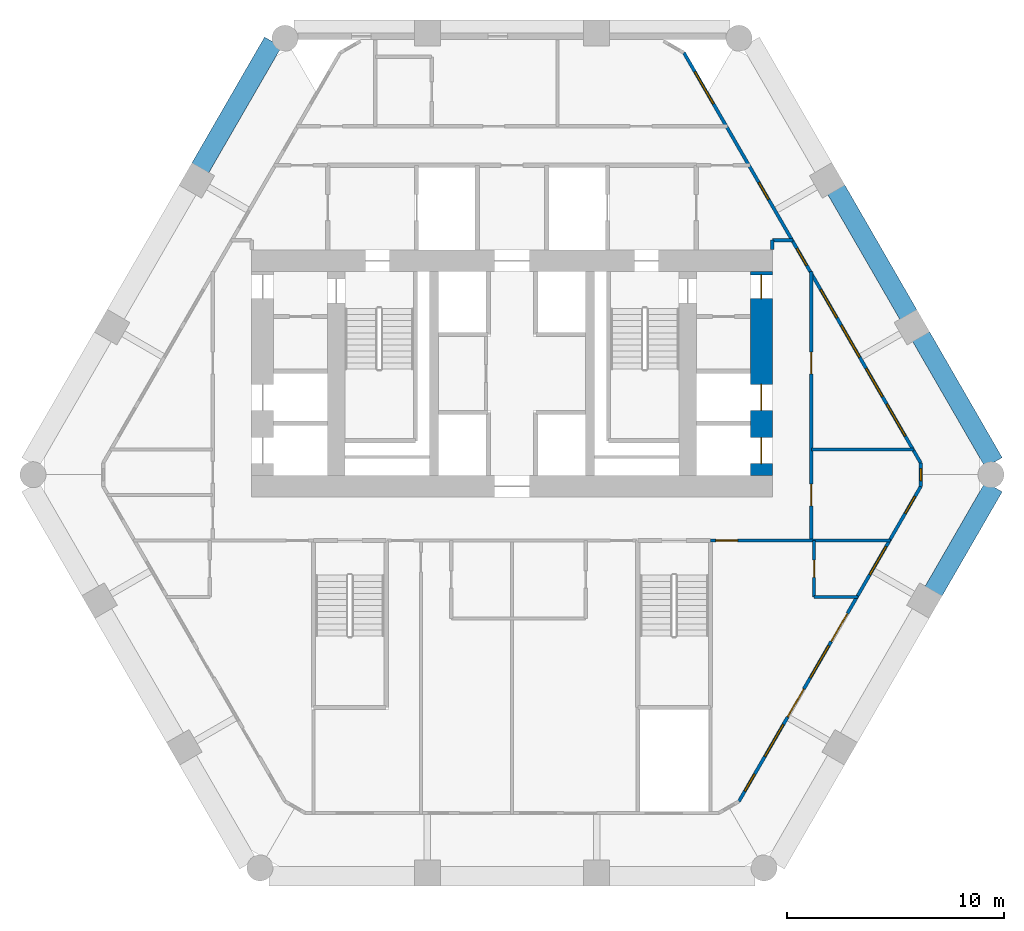
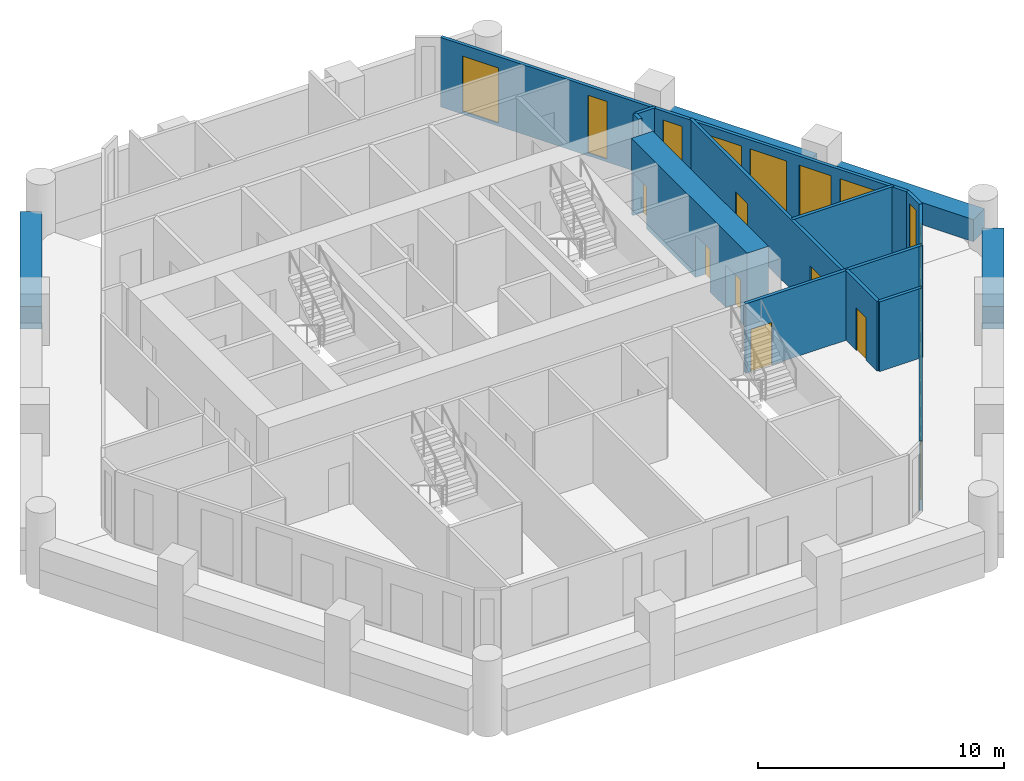
# One storey, part 5 of 7: 15 walls, 13 windows, 9 doors, 22 openings.
"""IFC4 building model written with IfcOpenShell, lengths in metres."""

import ifcopenshell
import ifcopenshell.guid

model = None  # the IFC model being written
_history = None  # IfcOwnerHistory: only IFC2X3 demands one
_inside = {}  # id of a spatial element -> (the spatial element, [elements in it])
_under = {}  # id of a project, library or spatial element -> (it, [spatial elements below it])
_declared = {}  # id of a project -> (the project, [libraries it declares])
_typed = {}  # id of a type object -> (the type object, [elements of that type])
_made_of = {}  # id of a material, layer set ... -> (it, [elements and type objects made of it])


def new_model(schema):
    """Start an empty IFC model of exactly this schema.

    Asked for "IFC4X3", IfcOpenShell would pick the latest addendum, in which some entities
    have other attributes; the version numbers below select the first issue.
    IFC2X3 requires an IfcOwnerHistory on every rooted entity: one is made here for all.
    """
    global model, _history
    if schema == "IFC4X3":
        model = ifcopenshell.file(schema_version=(4, 3, 0, 0))
    else:
        model = ifcopenshell.file(schema=schema)
    _inside.clear()
    _under.clear()
    _declared.clear()
    _typed.clear()
    _made_of.clear()
    _history = None
    if model.schema == "IFC2X3":
        org = make("IfcOrganization", Name="unknown")
        user = make(
            "IfcPersonAndOrganization",
            ThePerson=make("IfcPerson", FamilyName="unknown"),
            TheOrganization=org,
        )
        app = make(
            "IfcApplication",
            ApplicationDeveloper=org,
            Version="unknown",
            ApplicationFullName="unknown",
            ApplicationIdentifier="unknown",
        )
        _history = make(
            "IfcOwnerHistory",
            OwningUser=user,
            OwningApplication=app,
            ChangeAction="ADDED",
            CreationDate=0,
        )
    return model


def make(cls, **values):
    """One entity of the class cls with the attributes given. An attribute that is None is left unset."""
    return model.create_entity(
        cls, **{name: value for name, value in values.items() if value is not None}
    )


def rooted(cls, **values):
    """An entity with a GlobalId (a new one), such as an element, a storey or a relation."""
    return make(cls, GlobalId=ifcopenshell.guid.new(), OwnerHistory=_history, **values)


def si_unit(unit_type, name, prefix=None):
    """IfcSIUnit, for example si_unit("LENGTHUNIT", "METRE", prefix="MILLI")."""
    return make("IfcSIUnit", UnitType=unit_type, Prefix=prefix, Name=name)


def assignment(units):
    """IfcUnitAssignment: the units of a project."""
    return None if units is None else make("IfcUnitAssignment", Units=units)


def point(xyz):
    """IfcCartesianPoint."""
    return None if xyz is None else make("IfcCartesianPoint", Coordinates=xyz)


def direction(xyz):
    """IfcDirection."""
    return None if xyz is None else make("IfcDirection", DirectionRatios=xyz)


def frame(location, z_axis=None, x_axis=None):
    """IfcAxis2Placement3D, a coordinate frame: its origin and axes. An axis left out is left unset."""
    return make(
        "IfcAxis2Placement3D",
        Location=point(location),
        Axis=direction(z_axis),
        RefDirection=direction(x_axis),
    )


def frame_2d(location, x_axis=None):
    """IfcAxis2Placement2D, a coordinate frame in the plane: its origin and x axis."""
    return make(
        "IfcAxis2Placement2D", Location=point(location), RefDirection=direction(x_axis)
    )


def origin():
    """The frame at (0, 0, 0) with its axes left unset."""
    return frame((0.0, 0.0, 0.0))


def place(relative_to, where):
    """IfcLocalPlacement: puts the frame where relative to a parent placement (None: the world)."""
    return make(
        "IfcLocalPlacement", PlacementRelTo=relative_to, RelativePlacement=where
    )


def context(
    kind, dimensions, precision=None, world=None, true_north=None, identifier=None
):
    """IfcGeometricRepresentationContext, for example the 3D "Model" context."""
    return make(
        "IfcGeometricRepresentationContext",
        ContextIdentifier=identifier,
        ContextType=kind,
        CoordinateSpaceDimension=dimensions,
        Precision=precision,
        WorldCoordinateSystem=world,
        TrueNorth=true_north,
    )


def subcontext(parent, identifier, kind, view, scale=None):
    """IfcGeometricRepresentationSubContext, for example "Body" below "Model"."""
    return make(
        "IfcGeometricRepresentationSubContext",
        ContextIdentifier=identifier,
        ContextType=kind,
        ParentContext=parent,
        TargetScale=scale,
        TargetView=view,
    )


def project(units=None, contexts=None):
    """IfcProject with its units and contexts."""
    return rooted(
        "IfcProject",
        Name="project",
        RepresentationContexts=contexts,
        UnitsInContext=assignment(units),
    )


def spatial(cls, under=None, at=None, **own):
    """A site, building, storey or space (cls), placed at a placement, below another one or the project."""
    s = rooted(cls, ObjectPlacement=at, **own)
    if under is not None:
        _under.setdefault(under.id(), (under, []))[1].append(s)
    return s


def profile(cls, at=None, kind="AREA", **sizes):
    """A parametric profile (cls). Its sizes go by their IFC names, for example OverallWidth=200.0."""
    return make(cls, ProfileType=kind, Position=at, **sizes)


def rectangle(**sizes):
    """IfcRectangleProfileDef."""
    return profile("IfcRectangleProfileDef", **sizes)


def extrude(swept, where, along, depth):
    """IfcExtrudedAreaSolid: the profile swept, set in the frame where, extruded along a direction by depth."""
    return make(
        "IfcExtrudedAreaSolid",
        SweptArea=swept,
        Position=where,
        ExtrudedDirection=direction(along),
        Depth=depth,
    )


def shape(context_of_items, identifier, shape_type, items):
    """IfcShapeRepresentation: the items that make up one representation, for example the "Body"."""
    return make(
        "IfcShapeRepresentation",
        ContextOfItems=context_of_items,
        RepresentationIdentifier=identifier,
        RepresentationType=shape_type,
        Items=items,
    )


def material(Name=None, Category=None):
    """IfcMaterial."""
    return make("IfcMaterial", Name=Name, Category=Category)


def layer(
    of_material, thickness, ventilated=None, Name=None, Category=None, Priority=None
):
    """IfcMaterialLayer: one layer of a wall or slab, of a material (None: an air gap)."""
    return make(
        "IfcMaterialLayer",
        Material=of_material,
        LayerThickness=thickness,
        IsVentilated=ventilated,
        Name=Name,
        Category=Category,
        Priority=Priority,
    )


def layer_set(layers, Name=None):
    """IfcMaterialLayerSet."""
    return make("IfcMaterialLayerSet", MaterialLayers=layers, LayerSetName=Name)


def made_of(thing, what):
    """Note that an element or type object is made of a material, layer set ...; save() writes the relation."""
    if what is not None:
        _made_of.setdefault(what.id(), (what, []))[1].append(thing)
    return thing


def type_object(cls, material=None, **own):
    """A type object (cls), such as IfcWallType, which elements share."""
    return made_of(rooted(cls, **own), material)


def element(
    cls,
    number,
    at=None,
    inside=None,
    cuts=None,
    type_object=None,
    material=None,
    context=None,
    identifier="Body",
    shape_type=None,
    held_by="IfcProductDefinitionShape",
    body=None,
    shapes=None,
    **own,
):
    """One element of the class cls, such as IfcWall. Its Tag is "e" and its number.

    at: its placement. inside: the storey or other place that contains it. cuts: it is an
    opening in that element (IfcRelVoidsElement). A single representation is given by context,
    identifier, shape_type and body (its items); several are given by shapes. held_by: the class
    of the entity that holds the representations. save() writes the other relations.
    """
    e = rooted(cls, Tag="e%d" % number, ObjectPlacement=at, **own)
    if body is not None:
        shapes = [shape(context, identifier, shape_type, body)]
    if shapes is not None:
        e.Representation = make(held_by, Representations=shapes)
    if inside is not None:
        _inside.setdefault(inside.id(), (inside, []))[1].append(e)
    if cuts is not None:
        rooted(
            "IfcRelVoidsElement", RelatingBuildingElement=cuts, RelatedOpeningElement=e
        )
    if type_object is not None:
        _typed.setdefault(type_object.id(), (type_object, []))[1].append(e)
    return made_of(e, material)


def fill(opening, filler):
    """IfcRelFillsElement: the door or window that sits in an opening."""
    return rooted(
        "IfcRelFillsElement",
        RelatingOpeningElement=opening,
        RelatedBuildingElement=filler,
    )


def aggregate(whole, parts):
    """IfcRelAggregates: a whole, such as a stair, and the parts it consists of."""
    return rooted("IfcRelAggregates", RelatingObject=whole, RelatedObjects=parts)


def save(model, path):
    """Write the relations noted so far, then the file.

    IfcRelAggregates (storeys below a building ...), IfcRelContainedInSpatialStructure (elements
    in a storey), IfcRelDefinesByType, IfcRelAssociatesMaterial and IfcRelDeclares: one each for
    every whole, place, type object, material and project.
    """
    for whole, parts in _under.values():
        aggregate(whole, parts)
    for where, things in _inside.values():
        rooted(
            "IfcRelContainedInSpatialStructure",
            RelatedElements=things,
            RelatingStructure=where,
        )
    for kind, things in _typed.values():
        rooted("IfcRelDefinesByType", RelatedObjects=things, RelatingType=kind)
    for what, things in _made_of.values():
        rooted("IfcRelAssociatesMaterial", RelatedObjects=things, RelatingMaterial=what)
    for by, libraries in _declared.values():
        rooted("IfcRelDeclares", RelatingContext=by, RelatedDefinitions=libraries)
    model.write(path)


model = new_model("IFC4")

# Units and contexts
model_context = context("Model", 3, precision=1e-05, world=origin(), true_north=direction((0.0, 1.0)))
body_context = subcontext(model_context, "Body", "Model", "MODEL_VIEW")
ifc_project = project(units=[si_unit("LENGTHUNIT", "METRE"), si_unit("AREAUNIT", "SQUARE_METRE"), si_unit("VOLUMEUNIT", "CUBIC_METRE"), si_unit("PLANEANGLEUNIT", "RADIAN"), si_unit("MASSUNIT", "GRAM", prefix="KILO")], contexts=[model_context])

# Site, building, storey
site_placement = place(None, origin())
site = spatial("IfcSite", under=ifc_project, at=site_placement, CompositionType="ELEMENT")
building_placement = place(site_placement, origin())
building = spatial("IfcBuilding", under=site, at=building_placement, Name="Ostrander Bayou Hotel Tower", CompositionType="ELEMENT")
storey_placement = place(building_placement, frame((0.0, 0.0, 123.5)))
storey = spatial("IfcBuildingStorey", under=building, at=storey_placement, Name="L30", CompositionType="ELEMENT", Elevation=123.5)

# Wall, openings, doors
ifc_material_1 = material(Name="Concrete f'c 70 MPa", Category="concrete")
ifc_layer_1 = layer(ifc_material_1, 1.0)
ifc_layer_set_1 = layer_set([ifc_layer_1], Name="CW4 core wall 1000 mm f'c 70 MPa")
wall_type_1 = type_object("IfcWallType", Name="CW4 core wall 1000 mm f'c 70 MPa", PredefinedType="SHEAR", material=ifc_layer_set_1)
wall_1_placement = place(storey_placement, frame((11.5, -0.699951171875, -0.300048828125), z_axis=(0.0, 0.0, 1.0), x_axis=(0.0, 1.0, 0.0)))
wall_1 = element("IfcWall", 1, at=wall_1_placement, inside=storey, type_object=wall_type_1, Name="CW4 L30 RE", PredefinedType="SHEAR", context=body_context, shape_type="SweptSolid", body=[
    extrude(rectangle(XDim=9.39990234375, YDim=1.0, at=frame_2d((4.699951171875, 0.0))), origin(), (0.0, 0.0, 1.0), 3.75),
])
opening_1_placement = place(wall_1_placement, frame((8.14990234375, 0.0, 0.0)))
opening_1 = element("IfcOpeningElement", 2, at=opening_1_placement, cuts=wall_1, Name="Opening T28-020", PredefinedType="OPENING", context=body_context, shape_type="SweptSolid", body=[
    extrude(rectangle(XDim=1.10009765625, YDim=2.10009765625, at=frame_2d((0.550048828125, 1.050048828125))), frame((0.0, 0.5, 0.0), z_axis=(0.0, -1.0, 0.0), x_axis=(1.0, 0.0, 0.0)), (0.0, 0.0, 1.0), 1.0),
])
opening_2_placement = place(wall_1_placement, frame((0.550048828125, 0.0, 0.0)))
opening_2 = element("IfcOpeningElement", 3, at=opening_2_placement, cuts=wall_1, Name="Opening T28-021", PredefinedType="OPENING", context=body_context, shape_type="SweptSolid", body=[
    extrude(rectangle(XDim=1.199951171875, YDim=2.10009765625, at=frame_2d((0.60009765625, 1.050048828125))), frame((0.0, 0.5, 0.0), z_axis=(0.0, -1.0, 0.0), x_axis=(1.0, 0.0, 0.0)), (0.0, 0.0, 1.0), 1.0),
])
opening_3_placement = place(wall_1_placement, frame((3.0, 0.0, 0.0)))
opening_3 = element("IfcOpeningElement", 4, at=opening_3_placement, cuts=wall_1, Name="Opening T28-022", PredefinedType="OPENING", context=body_context, shape_type="SweptSolid", body=[
    extrude(rectangle(XDim=1.199951171875, YDim=2.10009765625, at=frame_2d((0.60009765625, 1.050048828125))), frame((0.0, 0.5, 0.0), z_axis=(0.0, -1.0, 0.0), x_axis=(1.0, 0.0, 0.0)), (0.0, 0.0, 1.0), 1.0),
])
ifc_material_2 = material(Name="Timber door leaf", Category="wood")
door_type_1 = type_object("IfcDoorType", Name="D5 stair door 1100 x 2100 mm, 90 minute", OperationType="SINGLE_SWING_LEFT", PredefinedType="DOOR", material=ifc_material_2)
door_1_placement = place(opening_1_placement, origin())
door_1 = element("IfcDoor", 5, at=door_1_placement, inside=storey, type_object=door_type_1, Name="dr:L30:020", OperationType="SINGLE_SWING_RIGHT", OverallHeight=2.10009765625, OverallWidth=1.10009765625, PredefinedType="DOOR", context=body_context, shape_type="SweptSolid", body=[
    extrude(rectangle(XDim=1.10009765625, YDim=2.10009765625, at=frame_2d((0.550048828125, 1.050048828125))), frame((0.0, 0.02490234375, 0.0), z_axis=(0.0, -1.0, 0.0), x_axis=(1.0, 0.0, 0.0)), (0.0, 0.0, 1.0), 0.050048828125),
])
fill(opening_1, door_1)
ifc_material_3 = material(Name="Stainless steel sliding door", Category="steel")
door_type_2 = type_object("IfcDoorType", Name="LD1 lift landing door 1200 x 2100 mm", OperationType="SINGLE_SWING_LEFT", PredefinedType="DOOR", material=ifc_material_3)
door_2_placement = place(opening_2_placement, origin())
door_2 = element("IfcDoor", 6, at=door_2_placement, inside=storey, type_object=door_type_2, Name="dr:L30:021", OperationType="SLIDING_TO_LEFT", OverallHeight=2.10009765625, OverallWidth=1.199951171875, PredefinedType="DOOR", context=body_context, shape_type="SweptSolid", body=[
    extrude(rectangle(XDim=1.199951171875, YDim=2.10009765625, at=frame_2d((0.60009765625, 1.050048828125))), frame((0.0, 0.02490234375, 0.0), z_axis=(0.0, -1.0, 0.0), x_axis=(1.0, 0.0, 0.0)), (0.0, 0.0, 1.0), 0.050048828125),
])
fill(opening_2, door_2)
door_3_placement = place(opening_3_placement, origin())
door_3 = element("IfcDoor", 7, at=door_3_placement, inside=storey, type_object=door_type_2, Name="dr:L30:022", OperationType="SLIDING_TO_LEFT", OverallHeight=2.10009765625, OverallWidth=1.199951171875, PredefinedType="DOOR", context=body_context, shape_type="SweptSolid", body=[
    extrude(rectangle(XDim=1.199951171875, YDim=2.10009765625, at=frame_2d((0.60009765625, 1.050048828125))), frame((0.0, 0.02490234375, 0.0), z_axis=(0.0, -1.0, 0.0), x_axis=(1.0, 0.0, 0.0)), (0.0, 0.0, 1.0), 0.050048828125),
])
fill(opening_3, door_3)

# Wall, openings, doors, windows
ifc_material_4 = material(Name="Aluminium framed insulated wall", Category="aluminium")
ifc_layer_2 = layer(ifc_material_4, 0.14990234375)
ifc_layer_set_2 = layer_set([ifc_layer_2], Name="GW1 glass-line wall 150 mm")
wall_type_2 = type_object("IfcWallType", Name="GW1 glass-line wall 150 mm", PredefinedType="SOLIDWALL", material=ifc_layer_set_2)
wall_2_placement = place(storey_placement, frame((10.46337890625, -15.72705078125, 0.0), z_axis=(0.0, 0.0, 1.0), x_axis=(0.499992448691, 0.866029763491, 0.0)))
wall_2 = element("IfcWall", 8, at=wall_2_placement, inside=storey, type_object=wall_type_2, Name="GW1 L30 SE 1", PredefinedType="SOLIDWALL", context=body_context, shape_type="SweptSolid", body=[
    extrude(rectangle(XDim=16.776611328125, YDim=0.14990234375, at=frame_2d((8.38818359375, 0.0))), origin(), (0.0, 0.0, 1.0), 3.449951171875),
])
opening_4_placement = place(wall_2_placement, frame((2.38818359375, 0.0, 0.14990234375)))
opening_4 = element("IfcOpeningElement", 9, at=opening_4_placement, cuts=wall_2, Name="Opening W2", PredefinedType="OPENING", context=body_context, shape_type="SweptSolid", body=[
    extrude(rectangle(XDim=1.699951171875, YDim=2.85009765625, at=frame_2d((0.85009765625, 1.425048828125))), frame((0.0, 0.074951171875, 0.0), z_axis=(0.0, -1.0, 0.0), x_axis=(1.0, 0.0, 0.0)), (0.0, 0.0, 1.0), 0.14990234375),
])
opening_5_placement = place(wall_2_placement, frame((4.48828125, 0.0, 0.0)))
opening_5 = element("IfcOpeningElement", 10, at=opening_5_placement, cuts=wall_2, Name="Opening T28-804", PredefinedType="OPENING", context=body_context, shape_type="SweptSolid", body=[
    extrude(rectangle(XDim=1.5, YDim=2.39990234375, at=frame_2d((0.75, 1.199951171875))), frame((0.0, 0.074951171875, 0.0), z_axis=(0.0, -1.0, 0.0), x_axis=(1.0, 0.0, 0.0)), (0.0, 0.0, 1.0), 0.14990234375),
])
opening_6_placement = place(wall_2_placement, frame((6.58837890625, 0.0, 0.14990234375)))
opening_6 = element("IfcOpeningElement", 11, at=opening_6_placement, cuts=wall_2, Name="Opening W2", PredefinedType="OPENING", context=body_context, shape_type="SweptSolid", body=[
    extrude(rectangle(XDim=1.699951171875, YDim=2.85009765625, at=frame_2d((0.85009765625, 1.425048828125))), frame((0.0, 0.074951171875, 0.0), z_axis=(0.0, -1.0, 0.0), x_axis=(1.0, 0.0, 0.0)), (0.0, 0.0, 1.0), 0.14990234375),
])
opening_7_placement = place(wall_2_placement, frame((8.51123046875, 0.0, 0.0)))
opening_7 = element("IfcOpeningElement", 12, at=opening_7_placement, cuts=wall_2, Name="Opening T28-805", PredefinedType="OPENING", context=body_context, shape_type="SweptSolid", body=[
    extrude(rectangle(XDim=1.5, YDim=2.39990234375, at=frame_2d((0.75, 1.199951171875))), frame((0.0, 0.074951171875, 0.0), z_axis=(0.0, -1.0, 0.0), x_axis=(1.0, 0.0, 0.0)), (0.0, 0.0, 1.0), 0.14990234375),
])
opening_8_placement = place(wall_2_placement, frame((12.0634765625, 0.0, 0.14990234375)))
opening_8 = element("IfcOpeningElement", 13, at=opening_8_placement, cuts=wall_2, Name="Opening W12", PredefinedType="OPENING", context=body_context, shape_type="SweptSolid", body=[
    extrude(rectangle(XDim=1.5, YDim=2.85009765625, at=frame_2d((0.75, 1.425048828125))), frame((0.0, 0.074951171875, 0.0), z_axis=(0.0, -1.0, 0.0), x_axis=(1.0, 0.0, 0.0)), (0.0, 0.0, 1.0), 0.14990234375),
])
opening_9_placement = place(wall_2_placement, frame((0.544189453125, 0.0, 0.14990234375)))
opening_9 = element("IfcOpeningElement", 14, at=opening_9_placement, cuts=wall_2, Name="Opening W16", PredefinedType="OPENING", context=body_context, shape_type="SweptSolid", body=[
    extrude(rectangle(XDim=0.89990234375, YDim=2.72998046875, at=frame_2d((0.449951171875, 1.364990234375))), frame((0.0, 0.074951171875, 0.0), z_axis=(0.0, -1.0, 0.0), x_axis=(1.0, 0.0, 0.0)), (0.0, 0.0, 1.0), 0.14990234375),
])
opening_10_placement = place(wall_2_placement, frame((15.33251953125, 0.0, 0.14990234375)))
opening_10 = element("IfcOpeningElement", 15, at=opening_10_placement, cuts=wall_2, Name="Opening W16", PredefinedType="OPENING", context=body_context, shape_type="SweptSolid", body=[
    extrude(rectangle(XDim=0.89990234375, YDim=2.72998046875, at=frame_2d((0.449951171875, 1.364990234375))), frame((0.0, 0.074951171875, 0.0), z_axis=(0.0, -1.0, 0.0), x_axis=(1.0, 0.0, 0.0)), (0.0, 0.0, 1.0), 0.14990234375),
])
ifc_material_5 = material(Name="Aluminium and clear glass", Category="aluminium")
door_type_3 = type_object("IfcDoorType", Name="SD2 sliding glass door 1500 mm, zone 2", OperationType="SLIDING_TO_LEFT", PredefinedType="DOOR", material=ifc_material_5)
door_4_placement = place(opening_5_placement, origin())
door_4 = element("IfcDoor", 16, at=door_4_placement, inside=storey, type_object=door_type_3, Name="SD2 L30 SE 1", OperationType="SLIDING_TO_LEFT", OverallHeight=2.39990234375, OverallWidth=1.5, PredefinedType="DOOR", context=body_context, shape_type="SweptSolid", body=[
    extrude(rectangle(XDim=1.5, YDim=2.39990234375, at=frame_2d((0.75, 1.199951171875))), frame((0.0, 0.02490234375, 0.0), z_axis=(0.0, -1.0, 0.0), x_axis=(1.0, 0.0, 0.0)), (0.0, 0.0, 1.0), 0.050048828125),
])
fill(opening_5, door_4)
door_5_placement = place(opening_7_placement, origin())
door_5 = element("IfcDoor", 17, at=door_5_placement, inside=storey, type_object=door_type_3, Name="SD2 L30 SE 2", OperationType="SLIDING_TO_RIGHT", OverallHeight=2.39990234375, OverallWidth=1.5, PredefinedType="DOOR", context=body_context, shape_type="SweptSolid", body=[
    extrude(rectangle(XDim=1.5, YDim=2.39990234375, at=frame_2d((0.75, 1.199951171875))), frame((0.0, 0.02490234375, 0.0), z_axis=(0.0, -1.0, 0.0), x_axis=(1.0, 0.0, 0.0)), (0.0, 0.0, 1.0), 0.050048828125),
])
fill(opening_7, door_5)
ifc_material_6 = material(Name="Aluminium and clear glass", Category="aluminium")
window_type_1 = type_object("IfcWindowType", Name="W12 fixed window 1500 mm, bath bay, zone 2", PartitioningType="SINGLE_PANEL", PredefinedType="WINDOW", material=ifc_material_6)
window_1_placement = place(opening_8_placement, origin())
window_1 = element("IfcWindow", 18, at=window_1_placement, inside=storey, type_object=window_type_1, Name="W12 L30 SE 3", OverallHeight=2.85009765625, OverallWidth=1.5, PartitioningType="SINGLE_PANEL", PredefinedType="WINDOW", context=body_context, shape_type="SweptSolid", body=[
    extrude(rectangle(XDim=1.5, YDim=2.85009765625, at=frame_2d((0.75, 1.425048828125))), frame((0.0, 0.030029296875, 0.0), z_axis=(0.0, -1.0, 0.0), x_axis=(1.0, 0.0, 0.0)), (0.0, 0.0, 1.0), 0.06005859375),
])
fill(opening_8, window_1)
ifc_material_7 = material(Name="Aluminium and clear glass", Category="aluminium")
window_type_2 = type_object("IfcWindowType", Name="W16 window 900 mm, zone 2", PartitioningType="SINGLE_PANEL", PredefinedType="WINDOW", material=ifc_material_7)
window_2_placement = place(opening_9_placement, origin())
window_2 = element("IfcWindow", 19, at=window_2_placement, inside=storey, type_object=window_type_2, Name="W16 L30 SE E11", OverallHeight=2.72998046875, OverallWidth=0.89990234375, PartitioningType="SINGLE_PANEL", PredefinedType="WINDOW", context=body_context, shape_type="SweptSolid", body=[
    extrude(rectangle(XDim=0.89990234375, YDim=2.72998046875, at=frame_2d((0.449951171875, 1.364990234375))), frame((0.0, 0.030029296875, 0.0), z_axis=(0.0, -1.0, 0.0), x_axis=(1.0, 0.0, 0.0)), (0.0, 0.0, 1.0), 0.06005859375),
])
fill(opening_9, window_2)
window_3_placement = place(opening_10_placement, origin())
window_3 = element("IfcWindow", 20, at=window_3_placement, inside=storey, type_object=window_type_2, Name="W16 L30 SE E21", OverallHeight=2.72998046875, OverallWidth=0.89990234375, PartitioningType="SINGLE_PANEL", PredefinedType="WINDOW", context=body_context, shape_type="SweptSolid", body=[
    extrude(rectangle(XDim=0.89990234375, YDim=2.72998046875, at=frame_2d((0.449951171875, 1.364990234375))), frame((0.0, 0.030029296875, 0.0), z_axis=(0.0, -1.0, 0.0), x_axis=(1.0, 0.0, 0.0)), (0.0, 0.0, 1.0), 0.06005859375),
])
fill(opening_10, window_3)
ifc_material_8 = material(Name="Aluminium and clear glass", Category="aluminium")
window_type_3 = type_object("IfcWindowType", Name="W2 fixed window 1700 mm, zone 2", PartitioningType="SINGLE_PANEL", PredefinedType="WINDOW", material=ifc_material_8)
window_4_placement = place(opening_4_placement, origin())
window_4 = element("IfcWindow", 21, at=window_4_placement, inside=storey, type_object=window_type_3, Name="W2 L30 SE 1", OverallHeight=2.85009765625, OverallWidth=1.699951171875, PartitioningType="SINGLE_PANEL", PredefinedType="WINDOW", context=body_context, shape_type="SweptSolid", body=[
    extrude(rectangle(XDim=1.699951171875, YDim=2.85009765625, at=frame_2d((0.85009765625, 1.425048828125))), frame((0.0, 0.030029296875, 0.0), z_axis=(0.0, -1.0, 0.0), x_axis=(1.0, 0.0, 0.0)), (0.0, 0.0, 1.0), 0.06005859375),
])
fill(opening_4, window_4)
window_5_placement = place(opening_6_placement, origin())
window_5 = element("IfcWindow", 22, at=window_5_placement, inside=storey, type_object=window_type_3, Name="W2 L30 SE 2", OverallHeight=2.85009765625, OverallWidth=1.699951171875, PartitioningType="SINGLE_PANEL", PredefinedType="WINDOW", context=body_context, shape_type="SweptSolid", body=[
    extrude(rectangle(XDim=1.699951171875, YDim=2.85009765625, at=frame_2d((0.85009765625, 1.425048828125))), frame((0.0, 0.030029296875, 0.0), z_axis=(0.0, -1.0, 0.0), x_axis=(1.0, 0.0, 0.0)), (0.0, 0.0, 1.0), 0.06005859375),
])
fill(opening_6, window_5)

# Wall, openings, windows
wall_3_placement = place(storey_placement, frame((18.8515625, -0.133056640625, 0.0), z_axis=(0.0, 0.0, 1.0), x_axis=(-0.499994842654, 0.866028381359, 0.0)))
wall_3 = element("IfcWall", 23, at=wall_3_placement, inside=storey, type_object=wall_type_2, Name="GW1 L30 NE 1", PredefinedType="SOLIDWALL", context=body_context, shape_type="SweptSolid", body=[
    extrude(rectangle(XDim=21.853271484375, YDim=0.14990234375, at=frame_2d((10.9267578125, 0.0))), origin(), (0.0, 0.0, 1.0), 3.449951171875),
])
opening_11_placement = place(wall_3_placement, frame((1.44091796875, 0.0, 0.14990234375)))
opening_11 = element("IfcOpeningElement", 24, at=opening_11_placement, cuts=wall_3, Name="Opening W2", PredefinedType="OPENING", context=body_context, shape_type="SweptSolid", body=[
    extrude(rectangle(XDim=1.699951171875, YDim=2.85009765625, at=frame_2d((0.85009765625, 1.425048828125))), frame((0.0, 0.074951171875, 0.0), z_axis=(0.0, -1.0, 0.0), x_axis=(1.0, 0.0, 0.0)), (0.0, 0.0, 1.0), 0.14990234375),
])
opening_12_placement = place(wall_3_placement, frame((3.541015625, 0.0, 0.14990234375)))
opening_12 = element("IfcOpeningElement", 25, at=opening_12_placement, cuts=wall_3, Name="Opening W12", PredefinedType="OPENING", context=body_context, shape_type="SweptSolid", body=[
    extrude(rectangle(XDim=1.5, YDim=2.85009765625, at=frame_2d((0.75, 1.425048828125))), frame((0.0, 0.074951171875, 0.0), z_axis=(0.0, -1.0, 0.0), x_axis=(1.0, 0.0, 0.0)), (0.0, 0.0, 1.0), 0.14990234375),
])
opening_13_placement = place(wall_3_placement, frame((5.64111328125, 0.0, 0.14990234375)))
opening_13 = element("IfcOpeningElement", 26, at=opening_13_placement, cuts=wall_3, Name="Opening W2", PredefinedType="OPENING", context=body_context, shape_type="SweptSolid", body=[
    extrude(rectangle(XDim=1.699951171875, YDim=2.85009765625, at=frame_2d((0.85009765625, 1.425048828125))), frame((0.0, 0.074951171875, 0.0), z_axis=(0.0, -1.0, 0.0), x_axis=(1.0, 0.0, 0.0)), (0.0, 0.0, 1.0), 0.14990234375),
])
opening_14_placement = place(wall_3_placement, frame((7.740966796875, 0.0, 0.14990234375)))
opening_14 = element("IfcOpeningElement", 27, at=opening_14_placement, cuts=wall_3, Name="Opening W12", PredefinedType="OPENING", context=body_context, shape_type="SweptSolid", body=[
    extrude(rectangle(XDim=1.5, YDim=2.85009765625, at=frame_2d((0.75, 1.425048828125))), frame((0.0, 0.074951171875, 0.0), z_axis=(0.0, -1.0, 0.0), x_axis=(1.0, 0.0, 0.0)), (0.0, 0.0, 1.0), 0.14990234375),
])
opening_15_placement = place(wall_3_placement, frame((10.531494140625, 0.0, 0.14990234375)))
opening_15 = element("IfcOpeningElement", 28, at=opening_15_placement, cuts=wall_3, Name="Opening W16", PredefinedType="OPENING", context=body_context, shape_type="SweptSolid", body=[
    extrude(rectangle(XDim=0.89990234375, YDim=2.85009765625, at=frame_2d((0.449951171875, 1.425048828125))), frame((0.0, 0.074951171875, 0.0), z_axis=(0.0, -1.0, 0.0), x_axis=(1.0, 0.0, 0.0)), (0.0, 0.0, 1.0), 0.14990234375),
])
opening_16_placement = place(wall_3_placement, frame((14.041015625, 0.0, 0.14990234375)))
opening_16 = element("IfcOpeningElement", 29, at=opening_16_placement, cuts=wall_3, Name="Opening W16", PredefinedType="OPENING", context=body_context, shape_type="SweptSolid", body=[
    extrude(rectangle(XDim=0.89990234375, YDim=2.85009765625, at=frame_2d((0.449951171875, 1.425048828125))), frame((0.0, 0.074951171875, 0.0), z_axis=(0.0, -1.0, 0.0), x_axis=(1.0, 0.0, 0.0)), (0.0, 0.0, 1.0), 0.14990234375),
])
opening_17_placement = place(wall_3_placement, frame((19.131591796875, 0.0, 0.14990234375)))
opening_17 = element("IfcOpeningElement", 30, at=opening_17_placement, cuts=wall_3, Name="Opening W2", PredefinedType="OPENING", context=body_context, shape_type="SweptSolid", body=[
    extrude(rectangle(XDim=1.699951171875, YDim=2.72998046875, at=frame_2d((0.85009765625, 1.364990234375))), frame((0.0, 0.074951171875, 0.0), z_axis=(0.0, -1.0, 0.0), x_axis=(1.0, 0.0, 0.0)), (0.0, 0.0, 1.0), 0.14990234375),
])
window_6_placement = place(opening_12_placement, origin())
window_6 = element("IfcWindow", 31, at=window_6_placement, inside=storey, type_object=window_type_1, Name="W12 L30 NE 1", OverallHeight=2.85009765625, OverallWidth=1.5, PartitioningType="SINGLE_PANEL", PredefinedType="WINDOW", context=body_context, shape_type="SweptSolid", body=[
    extrude(rectangle(XDim=1.5, YDim=2.85009765625, at=frame_2d((0.75, 1.425048828125))), frame((0.0, 0.030029296875, 0.0), z_axis=(0.0, -1.0, 0.0), x_axis=(1.0, 0.0, 0.0)), (0.0, 0.0, 1.0), 0.06005859375),
])
fill(opening_12, window_6)
window_7_placement = place(opening_14_placement, origin())
window_7 = element("IfcWindow", 32, at=window_7_placement, inside=storey, type_object=window_type_1, Name="W12 L30 NE 2", OverallHeight=2.85009765625, OverallWidth=1.5, PartitioningType="SINGLE_PANEL", PredefinedType="WINDOW", context=body_context, shape_type="SweptSolid", body=[
    extrude(rectangle(XDim=1.5, YDim=2.85009765625, at=frame_2d((0.75, 1.425048828125))), frame((0.0, 0.030029296875, 0.0), z_axis=(0.0, -1.0, 0.0), x_axis=(1.0, 0.0, 0.0)), (0.0, 0.0, 1.0), 0.06005859375),
])
fill(opening_14, window_7)
window_8_placement = place(opening_15_placement, origin())
window_8 = element("IfcWindow", 33, at=window_8_placement, inside=storey, type_object=window_type_2, Name="W16 L30 NE 3", OverallHeight=2.85009765625, OverallWidth=0.89990234375, PartitioningType="SINGLE_PANEL", PredefinedType="WINDOW", context=body_context, shape_type="SweptSolid", body=[
    extrude(rectangle(XDim=0.89990234375, YDim=2.85009765625, at=frame_2d((0.449951171875, 1.425048828125))), frame((0.0, 0.030029296875, 0.0), z_axis=(0.0, -1.0, 0.0), x_axis=(1.0, 0.0, 0.0)), (0.0, 0.0, 1.0), 0.06005859375),
])
fill(opening_15, window_8)
window_9_placement = place(opening_16_placement, origin())
window_9 = element("IfcWindow", 34, at=window_9_placement, inside=storey, type_object=window_type_2, Name="W16 L30 NE 4", OverallHeight=2.85009765625, OverallWidth=0.89990234375, PartitioningType="SINGLE_PANEL", PredefinedType="WINDOW", context=body_context, shape_type="SweptSolid", body=[
    extrude(rectangle(XDim=0.89990234375, YDim=2.85009765625, at=frame_2d((0.449951171875, 1.425048828125))), frame((0.0, 0.030029296875, 0.0), z_axis=(0.0, -1.0, 0.0), x_axis=(1.0, 0.0, 0.0)), (0.0, 0.0, 1.0), 0.06005859375),
])
fill(opening_16, window_9)
window_10_placement = place(opening_11_placement, origin())
window_10 = element("IfcWindow", 35, at=window_10_placement, inside=storey, type_object=window_type_3, Name="W2 L30 NE 1", OverallHeight=2.85009765625, OverallWidth=1.699951171875, PartitioningType="SINGLE_PANEL", PredefinedType="WINDOW", context=body_context, shape_type="SweptSolid", body=[
    extrude(rectangle(XDim=1.699951171875, YDim=2.85009765625, at=frame_2d((0.85009765625, 1.425048828125))), frame((0.0, 0.030029296875, 0.0), z_axis=(0.0, -1.0, 0.0), x_axis=(1.0, 0.0, 0.0)), (0.0, 0.0, 1.0), 0.06005859375),
])
fill(opening_11, window_10)
window_11_placement = place(opening_13_placement, origin())
window_11 = element("IfcWindow", 36, at=window_11_placement, inside=storey, type_object=window_type_3, Name="W2 L30 NE 2", OverallHeight=2.85009765625, OverallWidth=1.699951171875, PartitioningType="SINGLE_PANEL", PredefinedType="WINDOW", context=body_context, shape_type="SweptSolid", body=[
    extrude(rectangle(XDim=1.699951171875, YDim=2.85009765625, at=frame_2d((0.85009765625, 1.425048828125))), frame((0.0, 0.030029296875, 0.0), z_axis=(0.0, -1.0, 0.0), x_axis=(1.0, 0.0, 0.0)), (0.0, 0.0, 1.0), 0.06005859375),
])
fill(opening_13, window_11)
window_12_placement = place(opening_17_placement, origin())
window_12 = element("IfcWindow", 37, at=window_12_placement, inside=storey, type_object=window_type_3, Name="W2 L30 NE E21", OverallHeight=2.72998046875, OverallWidth=1.699951171875, PartitioningType="SINGLE_PANEL", PredefinedType="WINDOW", context=body_context, shape_type="SweptSolid", body=[
    extrude(rectangle(XDim=1.699951171875, YDim=2.72998046875, at=frame_2d((0.85009765625, 1.364990234375))), frame((0.0, 0.030029296875, 0.0), z_axis=(0.0, -1.0, 0.0), x_axis=(1.0, 0.0, 0.0)), (0.0, 0.0, 1.0), 0.06005859375),
])
fill(opening_17, window_12)

# Wall, opening, window
wall_4_placement = place(storey_placement, frame((18.8515625, -1.197998046875, 0.0), z_axis=(0.0, 0.0, 1.0), x_axis=(0.0, 1.0, 0.0)))
wall_4 = element("IfcWall", 38, at=wall_4_placement, inside=storey, type_object=wall_type_2, Name="GW1 L30 corner 5", PredefinedType="SOLIDWALL", context=body_context, shape_type="SweptSolid", body=[
    extrude(rectangle(XDim=1.06494140625, YDim=0.14990234375, at=frame_2d((0.532470703125, 0.0))), origin(), (0.0, 0.0, 1.0), 3.449951171875),
])
opening_18_placement = place(wall_4_placement, frame((0.257568359375, 0.0, 0.14990234375)))
opening_18 = element("IfcOpeningElement", 39, at=opening_18_placement, cuts=wall_4, Name="Opening W19", PredefinedType="OPENING", context=body_context, shape_type="SweptSolid", body=[
    extrude(rectangle(XDim=0.550048828125, YDim=2.85009765625, at=frame_2d((0.27490234375, 1.425048828125))), frame((0.0, 0.074951171875, 0.0), z_axis=(0.0, -1.0, 0.0), x_axis=(1.0, 0.0, 0.0)), (0.0, 0.0, 1.0), 0.14990234375),
])
ifc_material_9 = material(Name="Aluminium and clear glass", Category="aluminium")
window_type_4 = type_object("IfcWindowType", Name="W19 corner window 550 mm", PartitioningType="SINGLE_PANEL", PredefinedType="WINDOW", material=ifc_material_9)
window_13_placement = place(opening_18_placement, origin())
window_13 = element("IfcWindow", 40, at=window_13_placement, inside=storey, type_object=window_type_4, Name="W19 L30 corner 5", OverallHeight=2.85009765625, OverallWidth=0.550048828125, PartitioningType="SINGLE_PANEL", PredefinedType="WINDOW", context=body_context, shape_type="SweptSolid", body=[
    extrude(rectangle(XDim=0.550048828125, YDim=2.85009765625, at=frame_2d((0.27490234375, 1.425048828125))), frame((0.0, 0.030029296875, 0.0), z_axis=(0.0, -1.0, 0.0), x_axis=(1.0, 0.0, 0.0)), (0.0, 0.0, 1.0), 0.06005859375),
])
fill(opening_18, window_13)

# Walls
ifc_material_10 = material(Name="Concrete f'c 40 MPa", Category="concrete")
ifc_layer_3 = layer(ifc_material_10, 0.89990234375)
ifc_layer_set_3 = layer_set([ifc_layer_3], Name="PA1 stone-faced parapet 900 mm")
wall_type_3 = type_object("IfcWallType", Name="PA1 stone-faced parapet 900 mm", PredefinedType="PARAPET", material=ifc_layer_set_3)
for number, where, z_axis, x_axis, name in (
    (41, (-11.017333984375, 19.286376953125, 0.0), (0.0, 0.0, 1.0), (-0.500012951941, -0.866017925849, 0.0), "PA1 L30 NW-1"),
    (42, (22.211181640625, -0.101806640625, 0.0), (0.0, 0.0, 1.0), (-0.500012951941, 0.866017925849, 0.0), "PA1 L30 NE-1"),
):
    element("IfcWall", number, at=place(storey_placement, frame(where, z_axis=z_axis, x_axis=x_axis)), inside=storey, type_object=wall_type_3, Name=name, PredefinedType="PARAPET", context=body_context, shape_type="SweptSolid", body=[
        extrude(rectangle(XDim=6.717041015625, YDim=0.89990234375, at=frame_2d((3.3583984375, 0.0))), origin(), (0.0, 0.0, 1.0), 1.10009765625),
    ])
wall_5_placement = place(storey_placement, frame((18.28271484375, 6.702392578125, 0.0), z_axis=(0.0, 0.0, 1.0), x_axis=(-0.50001062018, 0.866019272134, 0.0)))
element("IfcWall", 43, at=wall_5_placement, inside=storey, type_object=wall_type_3, Name="PA1 L30 NE-2", PredefinedType="PARAPET", context=body_context, shape_type="SweptSolid", body=[
    extrude(rectangle(XDim=6.673583984375, YDim=0.89990234375, at=frame_2d((3.3369140625, 0.0))), origin(), (0.0, 0.0, 1.0), 1.10009765625),
])
ifc_material_11 = material(Name="Limestone masonry", Category="masonry")
ifc_layer_4 = layer(ifc_material_11, 0.89990234375)
ifc_layer_set_4 = layer_set([ifc_layer_4], Name="PA2 limestone parapet 900 mm")
wall_type_4 = type_object("IfcWallType", Name="PA2 limestone parapet 900 mm", PredefinedType="PARAPET", material=ifc_layer_set_4)
wall_6_placement = place(storey_placement, frame((19.428955078125, -6.048095703125, 0.0), z_axis=(0.0, 0.0, 1.0), x_axis=(0.49998957009, 0.866031425412, 0.0)))
element("IfcWall", 44, at=wall_6_placement, inside=storey, type_object=wall_type_4, Name="PA2 L30 SE-3", PredefinedType="PARAPET", context=body_context, shape_type="SweptSolid", body=[
    extrude(rectangle(XDim=5.564453125, YDim=0.89990234375, at=frame_2d((2.7822265625, 0.0))), origin(), (0.0, 0.0, 1.0), 1.10009765625),
])
ifc_material_12 = material(Name="Gypsum board partition", Category="finish")
ifc_layer_5 = layer(ifc_material_12, 0.14990234375)
ifc_layer_set_5 = layer_set([ifc_layer_5], Name="PT8 service band wall 150 mm, 1 hour")
wall_type_5 = type_object("IfcWallType", Name="PT8 service band wall 150 mm, 1 hour", PredefinedType="PARTITIONING", material=ifc_layer_set_5)
wall_7_placement = place(storey_placement, frame((13.929931640625, -6.300048828125, 0.0), z_axis=(0.0, 0.0, 1.0), x_axis=(1.0, 0.0, 0.0)))
element("IfcWall", 45, at=wall_7_placement, inside=storey, type_object=wall_type_5, Name="gw:L30:003", PredefinedType="PARTITIONING", context=body_context, shape_type="SweptSolid", body=[
    extrude(rectangle(XDim=2.028076171875, YDim=0.14990234375, at=frame_2d((1.01416015625, 0.0))), origin(), (0.0, 0.0, 1.0), 3.449951171875),
])

# Wall, opening, door
wall_8_placement = place(storey_placement, frame((9.159912109375, -3.699951171875, 0.0), z_axis=(0.0, 0.0, 1.0), x_axis=(1.0, 0.0, 0.0)))
wall_8 = element("IfcWall", 46, at=wall_8_placement, inside=storey, type_object=wall_type_5, Name="gw:L30:006", PredefinedType="PARTITIONING", context=body_context, shape_type="SweptSolid", body=[
    extrude(rectangle(XDim=8.299072265625, YDim=0.14990234375, at=frame_2d((4.1494140625, 0.0))), origin(), (0.0, 0.0, 1.0), 3.449951171875),
])
opening_19_placement = place(wall_8_placement, frame((0.239990234375, 0.0, 0.0)))
opening_19 = element("IfcOpeningElement", 47, at=opening_19_placement, cuts=wall_8, Name="Opening T28-407", PredefinedType="OPENING", context=body_context, shape_type="SweptSolid", body=[
    extrude(rectangle(XDim=1.0, YDim=2.10009765625, at=frame_2d((0.5, 1.050048828125))), frame((0.0, 0.074951171875, 0.0), z_axis=(0.0, -1.0, 0.0), x_axis=(1.0, 0.0, 0.0)), (0.0, 0.0, 1.0), 0.14990234375),
])
ifc_material_13 = material(Name="Timber door leaf", Category="wood")
door_type_4 = type_object("IfcDoorType", Name="D1 guest room door 1000 x 2100 mm, 30 minute", OperationType="SINGLE_SWING_LEFT", PredefinedType="DOOR", material=ifc_material_13)
door_6_placement = place(opening_19_placement, origin())
door_6 = element("IfcDoor", 48, at=door_6_placement, inside=storey, type_object=door_type_4, Name="dr:L30:407", OperationType="SINGLE_SWING_LEFT", OverallHeight=2.10009765625, OverallWidth=1.0, PredefinedType="DOOR", context=body_context, shape_type="SweptSolid", body=[
    extrude(rectangle(XDim=1.0, YDim=2.10009765625, at=frame_2d((0.5, 1.050048828125))), frame((0.0, 0.02490234375, 0.0), z_axis=(0.0, -1.0, 0.0), x_axis=(1.0, 0.0, 0.0)), (0.0, 0.0, 1.0), 0.050048828125),
])
fill(opening_19, door_6)

# Walls
wall_9_placement = place(storey_placement, frame((13.800048828125, 0.5, 0.0), z_axis=(0.0, 0.0, 1.0), x_axis=(1.0, 0.0, 0.0)))
element("IfcWall", 49, at=wall_9_placement, inside=storey, type_object=wall_type_5, Name="gw:L30:009", PredefinedType="PARTITIONING", context=body_context, shape_type="SweptSolid", body=[
    extrude(rectangle(XDim=4.738037109375, YDim=0.14990234375, at=frame_2d((2.369140625, 0.0))), origin(), (0.0, 0.0, 1.0), 3.449951171875),
])
wall_10_placement = place(storey_placement, frame((12.0, 10.14990234375, 0.0), z_axis=(0.0, 0.0, 1.0), x_axis=(1.0, 0.0, 0.0)))
element("IfcWall", 50, at=wall_10_placement, inside=storey, type_object=wall_type_5, Name="gw:L30:011", PredefinedType="PARTITIONING", context=body_context, shape_type="SweptSolid", body=[
    extrude(rectangle(XDim=0.967041015625, YDim=0.14990234375, at=frame_2d((0.4833984375, 0.0))), origin(), (0.0, 0.0, 1.0), 3.449951171875),
])

# Wall, opening, door
wall_11_placement = place(storey_placement, frame((13.929931640625, -6.300048828125, 0.0), z_axis=(0.0, 0.0, 1.0), x_axis=(0.0, 1.0, 0.0)))
wall_11 = element("IfcWall", 51, at=wall_11_placement, inside=storey, type_object=wall_type_5, Name="gw:L30:016", PredefinedType="PARTITIONING", context=body_context, shape_type="SweptSolid", body=[
    extrude(rectangle(XDim=2.60009765625, YDim=0.14990234375, at=frame_2d((1.300048828125, 0.0))), origin(), (0.0, 0.0, 1.0), 3.449951171875),
])
opening_20_placement = place(wall_11_placement, frame((0.89990234375, 0.0, 0.0)))
opening_20 = element("IfcOpeningElement", 52, at=opening_20_placement, cuts=wall_11, Name="Opening T28-408", PredefinedType="OPENING", context=body_context, shape_type="SweptSolid", body=[
    extrude(rectangle(XDim=0.800048828125, YDim=2.10009765625, at=frame_2d((0.39990234375, 1.050048828125))), frame((0.0, 0.074951171875, 0.0), z_axis=(0.0, -1.0, 0.0), x_axis=(1.0, 0.0, 0.0)), (0.0, 0.0, 1.0), 0.14990234375),
])
ifc_material_14 = material(Name="Timber door leaf", Category="wood")
door_type_5 = type_object("IfcDoorType", Name="D2 bathroom door 800 x 2100 mm", OperationType="SINGLE_SWING_LEFT", PredefinedType="DOOR", material=ifc_material_14)
door_7_placement = place(opening_20_placement, origin())
door_7 = element("IfcDoor", 53, at=door_7_placement, inside=storey, type_object=door_type_5, Name="dr:L30:408", OperationType="SINGLE_SWING_RIGHT", OverallHeight=2.10009765625, OverallWidth=0.800048828125, PredefinedType="DOOR", context=body_context, shape_type="SweptSolid", body=[
    extrude(rectangle(XDim=0.800048828125, YDim=2.10009765625, at=frame_2d((0.39990234375, 1.050048828125))), frame((0.0, 0.02490234375, 0.0), z_axis=(0.0, -1.0, 0.0), x_axis=(1.0, 0.0, 0.0)), (0.0, 0.0, 1.0), 0.050048828125),
])
fill(opening_20, door_7)

# Wall, openings, doors
wall_12_placement = place(storey_placement, frame((13.800048828125, -3.699951171875, 0.0), z_axis=(0.0, 0.0, 1.0), x_axis=(0.0, 1.0, 0.0)))
wall_12 = element("IfcWall", 54, at=wall_12_placement, inside=storey, type_object=wall_type_5, Name="gw:L30:017", PredefinedType="PARTITIONING", context=body_context, shape_type="SweptSolid", body=[
    extrude(rectangle(XDim=12.406982421875, YDim=0.14990234375, at=frame_2d((6.20361328125, 0.0))), origin(), (0.0, 0.0, 1.0), 3.449951171875),
])
opening_21_placement = place(wall_12_placement, frame((1.60009765625, 0.0, 0.0)))
opening_21 = element("IfcOpeningElement", 55, at=opening_21_placement, cuts=wall_12, Name="Opening T28-412", PredefinedType="OPENING", context=body_context, shape_type="SweptSolid", body=[
    extrude(rectangle(XDim=1.0, YDim=2.10009765625, at=frame_2d((0.5, 1.050048828125))), frame((0.0, 0.074951171875, 0.0), z_axis=(0.0, -1.0, 0.0), x_axis=(1.0, 0.0, 0.0)), (0.0, 0.0, 1.0), 0.14990234375),
])
opening_22_placement = place(wall_12_placement, frame((7.68310546875, 0.0, 0.0)))
opening_22 = element("IfcOpeningElement", 56, at=opening_22_placement, cuts=wall_12, Name="Opening T28-413", PredefinedType="OPENING", context=body_context, shape_type="SweptSolid", body=[
    extrude(rectangle(XDim=1.0, YDim=2.10009765625, at=frame_2d((0.5, 1.050048828125))), frame((0.0, 0.074951171875, 0.0), z_axis=(0.0, -1.0, 0.0), x_axis=(1.0, 0.0, 0.0)), (0.0, 0.0, 1.0), 0.14990234375),
])
ifc_material_15 = material(Name="Timber door leaf", Category="wood")
door_type_6 = type_object("IfcDoorType", Name="D9 service door 1000 x 2100 mm, 30 minute", OperationType="SINGLE_SWING_LEFT", PredefinedType="DOOR", material=ifc_material_15)
door_8_placement = place(opening_21_placement, origin())
door_8 = element("IfcDoor", 57, at=door_8_placement, inside=storey, type_object=door_type_6, Name="dr:L30:412", OperationType="SINGLE_SWING_LEFT", OverallHeight=2.10009765625, OverallWidth=1.0, PredefinedType="DOOR", context=body_context, shape_type="SweptSolid", body=[
    extrude(rectangle(XDim=1.0, YDim=2.10009765625, at=frame_2d((0.5, 1.050048828125))), frame((0.0, 0.02490234375, 0.0), z_axis=(0.0, -1.0, 0.0), x_axis=(1.0, 0.0, 0.0)), (0.0, 0.0, 1.0), 0.050048828125),
])
fill(opening_21, door_8)
door_9_placement = place(opening_22_placement, origin())
door_9 = element("IfcDoor", 58, at=door_9_placement, inside=storey, type_object=door_type_6, Name="dr:L30:413", OperationType="SINGLE_SWING_LEFT", OverallHeight=2.10009765625, OverallWidth=1.0, PredefinedType="DOOR", context=body_context, shape_type="SweptSolid", body=[
    extrude(rectangle(XDim=1.0, YDim=2.10009765625, at=frame_2d((0.5, 1.050048828125))), frame((0.0, 0.02490234375, 0.0), z_axis=(0.0, -1.0, 0.0), x_axis=(1.0, 0.0, 0.0)), (0.0, 0.0, 1.0), 0.050048828125),
])
fill(opening_22, door_9)

# Wall
wall_13_placement = place(storey_placement, frame((12.0, 9.7099609375, 0.0), z_axis=(0.0, 0.0, 1.0), x_axis=(0.0, 1.0, 0.0)))
element("IfcWall", 59, at=wall_13_placement, inside=storey, type_object=wall_type_5, Name="gw:L30:018", PredefinedType="PARTITIONING", context=body_context, shape_type="SweptSolid", body=[
    extrude(rectangle(XDim=0.43994140625, YDim=0.14990234375, at=frame_2d((0.219970703125, 0.0))), origin(), (0.0, 0.0, 1.0), 3.449951171875),
])

save(model, "model.ifc")
